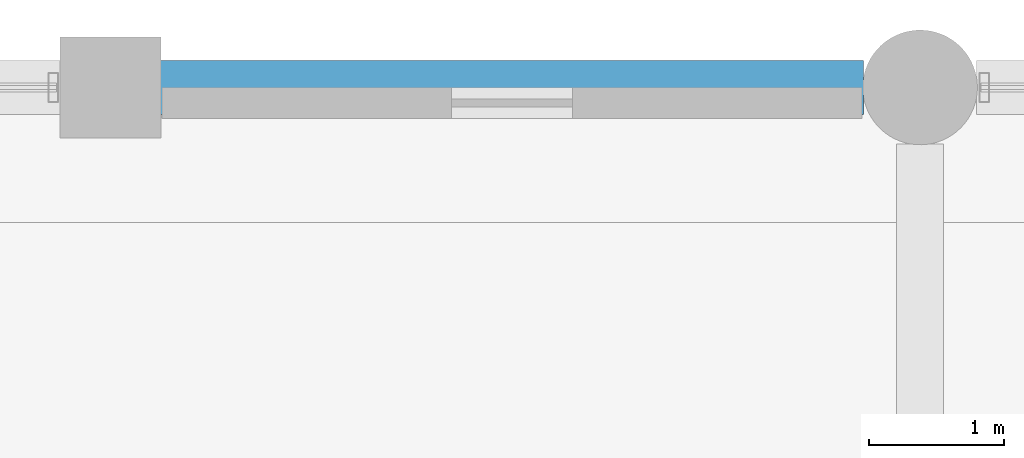
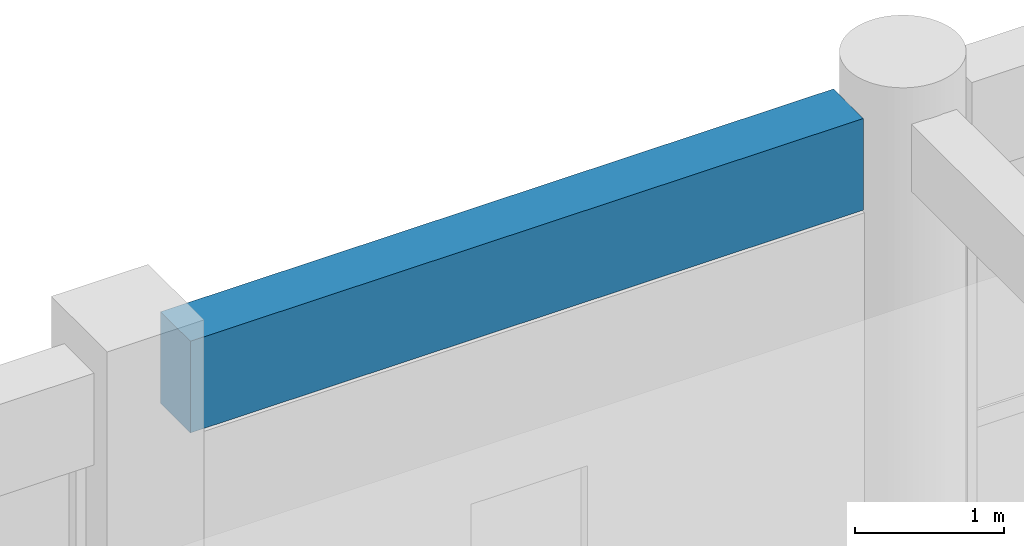
# One storey, part 47 of 133: 1 beam.
"""IFC4 building model written with IfcOpenShell, lengths in metres."""

from ifc_helpers import new_model, si_unit, direction, frame, origin, origin_2d, place, context, subcontext, project, spatial, rectangle, extrude, material, material_profile, profile_set, type_object, element, save


model = new_model("IFC4")

# Units and contexts
model_context = context("Model", 3, precision=1e-05, world=origin(), true_north=direction((0.0, 1.0)))
body_context = subcontext(model_context, "Body", "Model", "MODEL_VIEW")
ifc_project = project(units=[si_unit("LENGTHUNIT", "METRE"), si_unit("AREAUNIT", "SQUARE_METRE"), si_unit("VOLUMEUNIT", "CUBIC_METRE"), si_unit("PLANEANGLEUNIT", "RADIAN"), si_unit("MASSUNIT", "GRAM", prefix="KILO"), si_unit("THERMODYNAMICTEMPERATUREUNIT", "KELVIN"), si_unit("POWERUNIT", "WATT")], contexts=[model_context])

# Site, building, storey
site_placement = place(None, origin())
site = spatial("IfcSite", under=ifc_project, at=site_placement, CompositionType="ELEMENT")
building_placement = place(site_placement, origin())
building = spatial("IfcBuilding", under=site, at=building_placement, Name="Phaisarnlok Congress Hotel", CompositionType="ELEMENT")
storey_placement = place(building_placement, frame((0.0, 0.0, 6.0)))
storey = spatial("IfcBuildingStorey", under=building, at=storey_placement, Name="L01", CompositionType="ELEMENT", Elevation=6.0)

# Beam
ifc_material = material(Name="Concrete C40/50", Category="concrete")
ifc_material_profile = material_profile(ifc_material, rectangle(XDim=0.39990234375, YDim=0.75, at=origin_2d()), Name="RC 400x750")
ifc_profile_set = profile_set([ifc_material_profile], Name="Concrete C40/50")
beam_type = type_object("IfcBeamType", Name="SP-RC-400x750", PredefinedType="SPANDREL", material=ifc_profile_set)
beam_placement = place(storey_placement, frame((90.3701171875, 126.0, 3.844970703125), z_axis=(1.0, 0.0, 0.0), x_axis=(0.0, 1.0, 0.0)))
element("IfcBeam", 1, at=beam_placement, inside=storey, type_object=beam_type, Name="Beam SP-02", PredefinedType="SPANDREL", context=body_context, shape_type="SweptSolid", body=[
    extrude(rectangle(XDim=0.39990234375, YDim=0.75, at=origin_2d()), origin(), (0.0, 0.0, 1.0), 5.2099609375),
])

save(model, "model.ifc")
